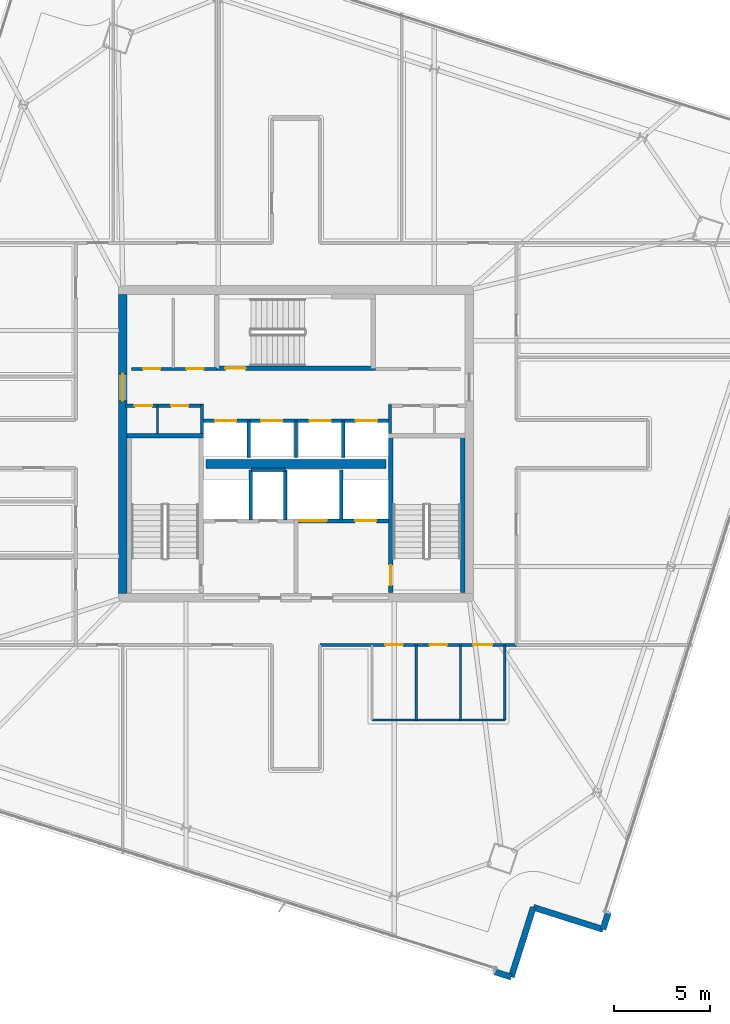
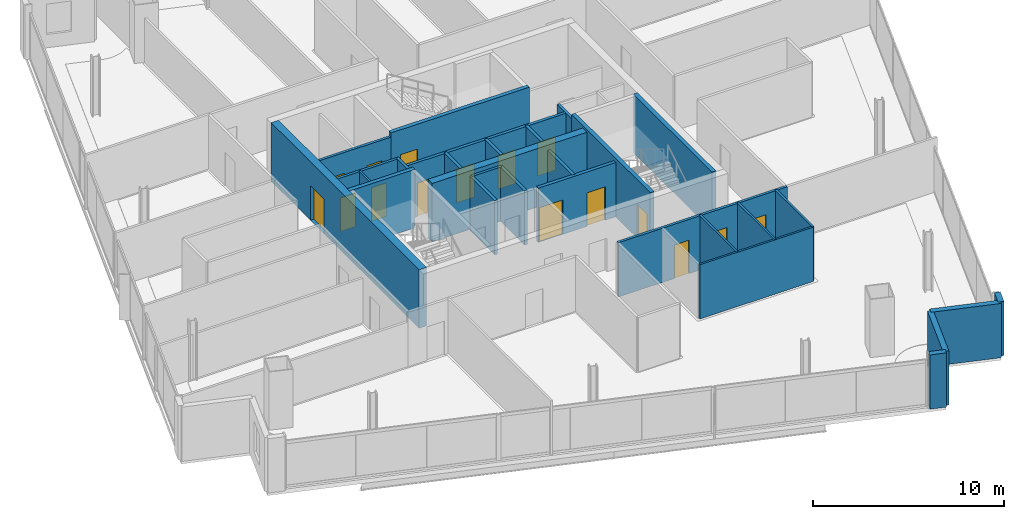
# One storey, part 19 of 26: 29 walls, 16 doors, 16 openings.
"""IFC4 building model written with IfcOpenShell, lengths in metres."""

from ifc_helpers import new_model, si_unit, direction, frame, frame_2d, origin, place, context, subcontext, project, spatial, rectangle, extrude, material, layer, layer_set, type_object, element, fill, save


model = new_model("IFC4")

# Units and contexts
model_context = context("Model", 3, precision=1e-05, world=origin(), true_north=direction((0.0, 1.0)))
body_context = subcontext(model_context, "Body", "Model", "MODEL_VIEW")
ifc_project = project(units=[si_unit("LENGTHUNIT", "METRE"), si_unit("AREAUNIT", "SQUARE_METRE"), si_unit("VOLUMEUNIT", "CUBIC_METRE"), si_unit("PLANEANGLEUNIT", "RADIAN"), si_unit("MASSUNIT", "GRAM", prefix="KILO")], contexts=[model_context])

# Site, building, storey
site_placement = place(None, origin())
site = spatial("IfcSite", under=ifc_project, at=site_placement, CompositionType="ELEMENT")
building_placement = place(site_placement, origin())
building = spatial("IfcBuilding", under=site, at=building_placement, Name="Haldenkirk Collegiate Tower", CompositionType="ELEMENT")
storey_placement = place(building_placement, frame((0.0, 0.0, 271.199951171875)))
storey = spatial("IfcBuildingStorey", under=building, at=storey_placement, Name="L68", CompositionType="ELEMENT", Elevation=271.199951171875)

# Wall, opening, door
ifc_material_1 = material(Name="Concrete f'c 55 MPa", Category="concrete")
ifc_layer_1 = layer(ifc_material_1, 0.449951171875)
ifc_layer_set_1 = layer_set([ifc_layer_1], Name="Concrete f'c 55 MPa")
wall_type_1 = type_object("IfcWallType", Name="WL-CORE-450", PredefinedType="SHEAR", material=ifc_layer_set_1)
wall_1_placement = place(storey_placement, frame((27.0, 18.22509765625, 0.0), z_axis=(0.0, 0.0, 1.0), x_axis=(0.0, 1.0, 0.0)))
wall_1 = element("IfcWall", 1, at=wall_1_placement, inside=storey, type_object=wall_type_1, Name="L68 central core shear wall W", PredefinedType="SHEAR", context=body_context, shape_type="SweptSolid", body=[
    extrude(rectangle(XDim=15.5498046875, YDim=0.449951171875, at=frame_2d((7.77490234375, 0.0))), origin(), (0.0, 0.0, 1.0), 3.75),
])
opening_1_placement = place(wall_1_placement, frame((10.014892578125, 0.0, 0.0)))
opening_1 = element("IfcOpeningElement", 2, at=opening_1_placement, cuts=wall_1, Name="Opening D-03", PredefinedType="OPENING", context=body_context, shape_type="SweptSolid", body=[
    extrude(rectangle(XDim=1.39990234375, YDim=2.199951171875, at=frame_2d((0.699951171875, 1.10009765625))), frame((0.0, 0.23486328125, 0.0), z_axis=(0.0, -1.0, 0.0), x_axis=(1.0, 0.0, 0.0)), (0.0, 0.0, 1.0), 0.469970703125),
])
ifc_material_2 = material(Name="Galvanized fire-rated hollow steel door", Category="steel")
ifc_layer_2 = layer(ifc_material_2, 0.06005859375)
ifc_layer_set_2 = layer_set([ifc_layer_2], Name="Galvanized fire-rated hollow steel door")
door_type_1 = type_object("IfcDoorType", Name="DR-LOBBY-FD90-1400", OperationType="NOTDEFINED", PredefinedType="DOOR", material=ifc_layer_set_2)
door_1_placement = place(opening_1_placement, origin())
door_1 = element("IfcDoor", 3, at=door_1_placement, inside=storey, type_object=door_type_1, Name="L68 west lift lobby portal", OperationType="DOUBLE_DOOR_SINGLE_SWING", OverallHeight=2.199951171875, OverallWidth=1.39990234375, PredefinedType="DOOR", context=body_context, shape_type="SweptSolid", body=[
    extrude(rectangle(XDim=1.39990234375, YDim=2.199951171875, at=frame_2d((0.699951171875, 1.10009765625))), frame((0.0, 0.02490234375, 0.0), z_axis=(0.0, -1.0, 0.0), x_axis=(1.0, 0.0, 0.0)), (0.0, 0.0, 1.0), 0.050048828125),
])
fill(opening_1, door_1)

# Walls
wall_2_placement = place(storey_placement, frame((31.31005859375, 24.949951171875, 0.0), z_axis=(0.0, 0.0, 1.0), x_axis=(1.0, 0.0, 0.0)))
element("IfcWall", 4, at=wall_2_placement, inside=storey, type_object=wall_type_1, Name="L68 central core spine shear wall", PredefinedType="SHEAR", context=body_context, shape_type="SweptSolid", body=[
    extrude(rectangle(XDim=9.3798828125, YDim=0.449951171875, at=frame_2d((4.68994140625, 0.0))), origin(), (0.0, 0.0, 1.0), 3.75),
])
ifc_material_3 = material(Name="Precast concrete f'c 40 MPa", Category="concrete")
ifc_layer_3 = layer(ifc_material_3, 0.320068359375)
ifc_layer_set_3 = layer_set([ifc_layer_3], Name="Precast concrete f'c 40 MPa")
wall_type_2 = type_object("IfcWallType", Name="WL-EXT-TWR-320", PredefinedType="STANDARD", material=ifc_layer_set_3)
for number, where, z_axis, x_axis, name in (
    (5, (52.2294921875, 1.62158203125, 0.0), (0.0, 0.0, 1.0), (-0.301624624899, -0.95342675946, 0.0), "L68 precast corner pier SR"),
    (6, (47.18896484375, -1.7138671875, 0.0), (0.0, 0.0, 1.0), (-0.95342675946, 0.301624624899, 0.0), "L68 precast corner pier WL"),
):
    element("IfcWall", number, at=place(storey_placement, frame(where, z_axis=z_axis, x_axis=x_axis)), inside=storey, type_object=wall_type_2, Name=name, PredefinedType="STANDARD", context=body_context, shape_type="SweptSolid", body=[
        extrude(rectangle(XDim=0.900146484375, YDim=0.320068359375, at=frame_2d((0.4501953125, 0.0))), origin(), (0.0, 0.0, 1.0), 3.47998046875),
    ])
wall_3_placement = place(storey_placement, frame((48.3349609375, 1.9091796875, 0.0), z_axis=(0.0, 0.0, 1.0), x_axis=(-0.301580261621, -0.953440793023, 0.0)))
element("IfcWall", 7, at=wall_3_placement, inside=storey, type_object=wall_type_2, Name="L68 bronze precast notch wall 11", PredefinedType="STANDARD", context=body_context, shape_type="SweptSolid", body=[
    extrude(rectangle(XDim=3.800048828125, YDim=0.320068359375, at=frame_2d((1.89990234375, 0.0))), origin(), (0.0, 0.0, 1.0), 3.47998046875),
])
wall_4_placement = place(storey_placement, frame((51.9580078125, 0.763427734375, 0.0), z_axis=(0.0, 0.0, 1.0), x_axis=(-0.953459265402, 0.301521855292, 0.0)))
element("IfcWall", 8, at=wall_4_placement, inside=storey, type_object=wall_type_2, Name="L68 bronze precast notch wall 12", PredefinedType="STANDARD", context=body_context, shape_type="SweptSolid", body=[
    extrude(rectangle(XDim=3.7998046875, YDim=0.320068359375, at=frame_2d((1.89990234375, 0.0))), origin(), (0.0, 0.0, 1.0), 3.47998046875),
])

# Wall, openings, doors
ifc_material_4 = material(Name="Acoustic fire-rated gypsum partition", Category="concrete")
ifc_layer_4 = layer(ifc_material_4, 0.159912109375)
ifc_layer_set_4 = layer_set([ifc_layer_4], Name="Acoustic fire-rated gypsum partition")
wall_type_3 = type_object("IfcWallType", Name="WL-INT-CORR-160", PredefinedType="PARTITIONING", material=ifc_layer_set_4)
wall_5_placement = place(storey_placement, frame((27.14990234375, 27.97998046875, 0.0), z_axis=(0.0, 0.0, 1.0), x_axis=(1.0, 0.0, 0.0)))
wall_5 = element("IfcWall", 9, at=wall_5_placement, inside=storey, type_object=wall_type_3, Name="L68 interior partition IW-L68-VCSW-N", PredefinedType="PARTITIONING", context=body_context, shape_type="SweptSolid", body=[
    extrude(rectangle(XDim=4.050048828125, YDim=0.159912109375, at=frame_2d((2.02490234375, 0.0))), origin(), (0.0, 0.0, 1.0), 3.47998046875),
])
opening_2_placement = place(wall_5_placement, frame((0.469970703125, 0.0, 0.0)))
opening_2 = element("IfcOpeningElement", 10, at=opening_2_placement, cuts=wall_5, Name="Opening D-11", PredefinedType="OPENING", context=body_context, shape_type="SweptSolid", body=[
    extrude(rectangle(XDim=0.89990234375, YDim=2.14990234375, at=frame_2d((0.449951171875, 1.074951171875))), frame((0.0, 0.08984375, 0.0), z_axis=(0.0, -1.0, 0.0), x_axis=(1.0, 0.0, 0.0)), (0.0, 0.0, 1.0), 0.179931640625),
])
opening_3_placement = place(wall_5_placement, frame((2.360107421875, 0.0, 0.0)))
opening_3 = element("IfcOpeningElement", 11, at=opening_3_placement, cuts=wall_5, Name="Opening D-11", PredefinedType="OPENING", context=body_context, shape_type="SweptSolid", body=[
    extrude(rectangle(XDim=0.89990234375, YDim=2.14990234375, at=frame_2d((0.449951171875, 1.074951171875))), frame((0.0, 0.08984375, 0.0), z_axis=(0.0, -1.0, 0.0), x_axis=(1.0, 0.0, 0.0)), (0.0, 0.0, 1.0), 0.179931640625),
])
ifc_material_5 = material(Name="Solid-core architectural oak fire door", Category="wood")
ifc_layer_5 = layer(ifc_material_5, 0.06005859375)
ifc_layer_set_5 = layer_set([ifc_layer_5], Name="Solid-core architectural oak fire door")
door_type_2 = type_object("IfcDoorType", Name="DR-INT-FD60-900", OperationType="NOTDEFINED", PredefinedType="DOOR", material=ifc_layer_set_5)
door_2_placement = place(opening_2_placement, origin())
door_2 = element("IfcDoor", 12, at=door_2_placement, inside=storey, type_object=door_type_2, Name="L68 core AV closet door", OperationType="SINGLE_SWING_LEFT", OverallHeight=2.14990234375, OverallWidth=0.89990234375, PredefinedType="DOOR", context=body_context, shape_type="SweptSolid", body=[
    extrude(rectangle(XDim=0.89990234375, YDim=2.14990234375, at=frame_2d((0.449951171875, 1.074951171875))), frame((0.0, 0.02490234375, 0.0), z_axis=(0.0, -1.0, 0.0), x_axis=(1.0, 0.0, 0.0)), (0.0, 0.0, 1.0), 0.050048828125),
])
fill(opening_2, door_2)
door_3_placement = place(opening_3_placement, origin())
door_3 = element("IfcDoor", 13, at=door_3_placement, inside=storey, type_object=door_type_2, Name="L68 core supply closet door", OperationType="SINGLE_SWING_RIGHT", OverallHeight=2.14990234375, OverallWidth=0.89990234375, PredefinedType="DOOR", context=body_context, shape_type="SweptSolid", body=[
    extrude(rectangle(XDim=0.89990234375, YDim=2.14990234375, at=frame_2d((0.449951171875, 1.074951171875))), frame((0.0, 0.02490234375, 0.0), z_axis=(0.0, -1.0, 0.0), x_axis=(1.0, 0.0, 0.0)), (0.0, 0.0, 1.0), 0.050048828125),
])
fill(opening_3, door_3)

# Walls
for number, where, z_axis, x_axis, name in (
    (14, (31.1201171875, 26.5400390625, 0.0), (0.0, 0.0, 1.0), (0.0, 1.0, 0.0), "L68 interior partition IW-L68-VCSW-E"),
    (15, (40.8798828125, 26.5400390625, 0.0), (0.0, 0.0, 1.0), (0.0, 1.0, 0.0), "L68 interior partition IW-L68-VCSE-W"),
):
    element("IfcWall", number, at=place(storey_placement, frame(where, z_axis=z_axis, x_axis=x_axis)), inside=storey, type_object=wall_type_3, Name=name, PredefinedType="PARTITIONING", context=body_context, shape_type="SweptSolid", body=[
        extrude(rectangle(XDim=1.510009765625, YDim=0.159912109375, at=frame_2d((0.7548828125, 0.0))), origin(), (0.0, 0.0, 1.0), 3.47998046875),
    ])

# Wall, openings, doors
wall_6_placement = place(storey_placement, frame((27.449951171875, 29.89990234375, 0.0), z_axis=(0.0, 0.0, 1.0), x_axis=(1.0, 0.0, 0.0)))
wall_6 = element("IfcWall", 16, at=wall_6_placement, inside=storey, type_object=wall_type_3, Name="L68 interior partition IW-L68-PLS", PredefinedType="PARTITIONING", context=body_context, shape_type="SweptSolid", body=[
    extrude(rectangle(XDim=4.429931640625, YDim=0.159912109375, at=frame_2d((2.21484375, 0.0))), origin(), (0.0, 0.0, 1.0), 3.47998046875),
])
opening_4_placement = place(wall_6_placement, frame((0.60009765625, 0.0, 0.0)))
opening_4 = element("IfcOpeningElement", 17, at=opening_4_placement, cuts=wall_6, Name="Opening D-11", PredefinedType="OPENING", context=body_context, shape_type="SweptSolid", body=[
    extrude(rectangle(XDim=0.89990234375, YDim=2.14990234375, at=frame_2d((0.449951171875, 1.074951171875))), frame((0.0, 0.08984375, 0.0), z_axis=(0.0, -1.0, 0.0), x_axis=(1.0, 0.0, 0.0)), (0.0, 0.0, 1.0), 0.179931640625),
])
opening_5_placement = place(wall_6_placement, frame((2.85009765625, 0.0, 0.0)))
opening_5 = element("IfcOpeningElement", 18, at=opening_5_placement, cuts=wall_6, Name="Opening D-11", PredefinedType="OPENING", context=body_context, shape_type="SweptSolid", body=[
    extrude(rectangle(XDim=0.89990234375, YDim=2.14990234375, at=frame_2d((0.449951171875, 1.074951171875))), frame((0.0, 0.08984375, 0.0), z_axis=(0.0, -1.0, 0.0), x_axis=(1.0, 0.0, 0.0)), (0.0, 0.0, 1.0), 0.179931640625),
])
door_4_placement = place(opening_4_placement, origin())
door_4 = element("IfcDoor", 19, at=door_4_placement, inside=storey, type_object=door_type_2, Name="L68 tea kitchen door", OperationType="SINGLE_SWING_LEFT", OverallHeight=2.14990234375, OverallWidth=0.89990234375, PredefinedType="DOOR", context=body_context, shape_type="SweptSolid", body=[
    extrude(rectangle(XDim=0.89990234375, YDim=2.14990234375, at=frame_2d((0.449951171875, 1.074951171875))), frame((0.0, 0.02490234375, 0.0), z_axis=(0.0, -1.0, 0.0), x_axis=(1.0, 0.0, 0.0)), (0.0, 0.0, 1.0), 0.050048828125),
])
fill(opening_4, door_4)
door_5_placement = place(opening_5_placement, origin())
door_5 = element("IfcDoor", 20, at=door_5_placement, inside=storey, type_object=door_type_2, Name="L68 IT room door", OperationType="SINGLE_SWING_RIGHT", OverallHeight=2.14990234375, OverallWidth=0.89990234375, PredefinedType="DOOR", context=body_context, shape_type="SweptSolid", body=[
    extrude(rectangle(XDim=0.89990234375, YDim=2.14990234375, at=frame_2d((0.449951171875, 1.074951171875))), frame((0.0, 0.02490234375, 0.0), z_axis=(0.0, -1.0, 0.0), x_axis=(1.0, 0.0, 0.0)), (0.0, 0.0, 1.0), 0.050048828125),
])
fill(opening_5, door_5)

wall_7_placement = place(storey_placement, frame((37.25, 15.550048828125, 0.0), z_axis=(0.0, 0.0, 1.0), x_axis=(1.0, 0.0, 0.0)))
wall_7 = element("IfcWall", 21, at=wall_7_placement, inside=storey, type_object=wall_type_3, Name="L68 interior partition IW-L68-CS2", PredefinedType="PARTITIONING", context=body_context, shape_type="SweptSolid", body=[
    extrude(rectangle(XDim=10.25, YDim=0.159912109375, at=frame_2d((5.125, 0.0))), origin(), (0.0, 0.0, 1.0), 3.47998046875),
])
opening_6_placement = place(wall_7_placement, frame((3.39990234375, 0.0, 0.0)))
opening_6 = element("IfcOpeningElement", 22, at=opening_6_placement, cuts=wall_7, Name="Opening D-13", PredefinedType="OPENING", context=body_context, shape_type="SweptSolid", body=[
    extrude(rectangle(XDim=0.89990234375, YDim=2.14990234375, at=frame_2d((0.449951171875, 1.074951171875))), frame((0.0, 0.08984375, 0.0), z_axis=(0.0, -1.0, 0.0), x_axis=(1.0, 0.0, 0.0)), (0.0, 0.0, 1.0), 0.179931640625),
])
opening_7_placement = place(wall_7_placement, frame((5.699951171875, 0.0, 0.0)))
opening_7 = element("IfcOpeningElement", 23, at=opening_7_placement, cuts=wall_7, Name="Opening D-13", PredefinedType="OPENING", context=body_context, shape_type="SweptSolid", body=[
    extrude(rectangle(XDim=0.89990234375, YDim=2.14990234375, at=frame_2d((0.449951171875, 1.074951171875))), frame((0.0, 0.08984375, 0.0), z_axis=(0.0, -1.0, 0.0), x_axis=(1.0, 0.0, 0.0)), (0.0, 0.0, 1.0), 0.179931640625),
])
opening_8_placement = place(wall_7_placement, frame((7.949951171875, 0.0, 0.0)))
opening_8 = element("IfcOpeningElement", 24, at=opening_8_placement, cuts=wall_7, Name="Opening D-14", PredefinedType="OPENING", context=body_context, shape_type="SweptSolid", body=[
    extrude(rectangle(XDim=1.0, YDim=2.14990234375, at=frame_2d((0.5, 1.074951171875))), frame((0.0, 0.08984375, 0.0), z_axis=(0.0, -1.0, 0.0), x_axis=(1.0, 0.0, 0.0)), (0.0, 0.0, 1.0), 0.179931640625),
])
ifc_layer_6 = layer(ifc_material_5, 0.06005859375)
ifc_layer_set_6 = layer_set([ifc_layer_6], Name="Solid-core architectural oak fire door")
door_type_3 = type_object("IfcDoorType", Name="DR-INT-ACC-1000", OperationType="NOTDEFINED", PredefinedType="DOOR", material=ifc_layer_set_6)
door_6_placement = place(opening_8_placement, origin())
door_6 = element("IfcDoor", 25, at=door_6_placement, inside=storey, type_object=door_type_3, Name="L68 Accessible WC door", OperationType="SINGLE_SWING_RIGHT", OverallHeight=2.14990234375, OverallWidth=1.0, PredefinedType="DOOR", context=body_context, shape_type="SweptSolid", body=[
    extrude(rectangle(XDim=1.0, YDim=2.14990234375, at=frame_2d((0.5, 1.074951171875))), frame((0.0, 0.02490234375, 0.0), z_axis=(0.0, -1.0, 0.0), x_axis=(1.0, 0.0, 0.0)), (0.0, 0.0, 1.0), 0.050048828125),
])
fill(opening_8, door_6)
ifc_layer_7 = layer(ifc_material_5, 0.06005859375)
ifc_layer_set_7 = layer_set([ifc_layer_7], Name="Solid-core architectural oak fire door")
door_type_4 = type_object("IfcDoorType", Name="DR-INT-STD-900", OperationType="NOTDEFINED", PredefinedType="DOOR", material=ifc_layer_set_7)
door_7_placement = place(opening_6_placement, origin())
door_7 = element("IfcDoor", 26, at=door_7_placement, inside=storey, type_object=door_type_4, Name="L68 Male WC door", OperationType="SINGLE_SWING_RIGHT", OverallHeight=2.14990234375, OverallWidth=0.89990234375, PredefinedType="DOOR", context=body_context, shape_type="SweptSolid", body=[
    extrude(rectangle(XDim=0.89990234375, YDim=2.14990234375, at=frame_2d((0.449951171875, 1.074951171875))), frame((0.0, 0.02490234375, 0.0), z_axis=(0.0, -1.0, 0.0), x_axis=(1.0, 0.0, 0.0)), (0.0, 0.0, 1.0), 0.050048828125),
])
fill(opening_6, door_7)
door_8_placement = place(opening_7_placement, origin())
door_8 = element("IfcDoor", 27, at=door_8_placement, inside=storey, type_object=door_type_4, Name="L68 Female WC door", OperationType="SINGLE_SWING_LEFT", OverallHeight=2.14990234375, OverallWidth=0.89990234375, PredefinedType="DOOR", context=body_context, shape_type="SweptSolid", body=[
    extrude(rectangle(XDim=0.89990234375, YDim=2.14990234375, at=frame_2d((0.449951171875, 1.074951171875))), frame((0.0, 0.02490234375, 0.0), z_axis=(0.0, -1.0, 0.0), x_axis=(1.0, 0.0, 0.0)), (0.0, 0.0, 1.0), 0.050048828125),
])
fill(opening_7, door_8)

# Walls
ifc_material_6 = material(Name="Fire-rated gypsum shaftboard assembly", Category="concrete")
ifc_layer_8 = layer(ifc_material_6, 0.179931640625)
ifc_layer_set_8 = layer_set([ifc_layer_8], Name="Fire-rated gypsum shaftboard assembly")
wall_type_4 = type_object("IfcWallType", Name="WL-INT-SHAFT-180", PredefinedType="PARTITIONING", material=ifc_layer_set_8)
for number, where, z_axis, x_axis, name in (
    (28, (33.64990234375, 22.050048828125, 0.0), (0.0, 0.0, 1.0), (0.0, 1.0, 0.0), "L68 interior partition IW-L68-FL1E"),
    (29, (35.449951171875, 22.050048828125, 0.0), (0.0, 0.0, 1.0), (0.0, 1.0, 0.0), "L68 interior partition IW-L68-GL1W"),
):
    element("IfcWall", number, at=place(storey_placement, frame(where, z_axis=z_axis, x_axis=x_axis)), inside=storey, type_object=wall_type_4, Name=name, PredefinedType="PARTITIONING", context=body_context, shape_type="SweptSolid", body=[
        extrude(rectangle(XDim=2.599853515625, YDim=0.179931640625, at=frame_2d((1.2998046875, 0.0))), origin(), (0.0, 0.0, 1.0), 3.47998046875),
    ])
wall_8_placement = place(storey_placement, frame((33.64990234375, 24.64990234375, 0.0), z_axis=(0.0, 0.0, 1.0), x_axis=(1.0, 0.0, 0.0)))
element("IfcWall", 30, at=wall_8_placement, inside=storey, type_object=wall_type_4, Name="L68 interior partition IW-L68-RSRN", PredefinedType="PARTITIONING", context=body_context, shape_type="SweptSolid", body=[
    extrude(rectangle(XDim=1.800048828125, YDim=0.179931640625, at=frame_2d((0.89990234375, 0.0))), origin(), (0.0, 0.0, 1.0), 3.47998046875),
])
wall_9_placement = place(storey_placement, frame((38.35009765625, 22.050048828125, 0.0), z_axis=(0.0, 0.0, 1.0), x_axis=(0.0, 1.0, 0.0)))
element("IfcWall", 31, at=wall_9_placement, inside=storey, type_object=wall_type_4, Name="L68 interior partition IW-L68-GL1E", PredefinedType="PARTITIONING", context=body_context, shape_type="SweptSolid", body=[
    extrude(rectangle(XDim=2.599853515625, YDim=0.179931640625, at=frame_2d((1.2998046875, 0.0))), origin(), (0.0, 0.0, 1.0), 3.47998046875),
])

# Wall, openings, doors
wall_10_placement = place(storey_placement, frame((31.199951171875, 27.199951171875, 0.0), z_axis=(0.0, 0.0, 1.0), x_axis=(1.0, 0.0, 0.0)))
wall_10 = element("IfcWall", 32, at=wall_10_placement, inside=storey, type_object=wall_type_4, Name="L68 interior partition IW-L68-PHN", PredefinedType="PARTITIONING", context=body_context, shape_type="SweptSolid", body=[
    extrude(rectangle(XDim=9.60009765625, YDim=0.179931640625, at=frame_2d((4.800048828125, 0.0))), origin(), (0.0, 0.0, 1.0), 3.47998046875),
])
opening_9_placement = place(wall_10_placement, frame((0.590087890625, 0.0, 0.0)))
opening_9 = element("IfcOpeningElement", 33, at=opening_9_placement, cuts=wall_10, Name="Opening LD-11", PredefinedType="OPENING", context=body_context, shape_type="SweptSolid", body=[
    extrude(rectangle(XDim=1.10009765625, YDim=2.14990234375, at=frame_2d((0.550048828125, 1.074951171875))), frame((0.0, 0.099853515625, 0.0), z_axis=(0.0, -1.0, 0.0), x_axis=(1.0, 0.0, 0.0)), (0.0, 0.0, 1.0), 0.199951171875),
])
opening_10_placement = place(wall_10_placement, frame((2.989990234375, 0.0, 0.0)))
opening_10 = element("IfcOpeningElement", 34, at=opening_10_placement, cuts=wall_10, Name="Opening LD-11", PredefinedType="OPENING", context=body_context, shape_type="SweptSolid", body=[
    extrude(rectangle(XDim=1.10009765625, YDim=2.14990234375, at=frame_2d((0.550048828125, 1.074951171875))), frame((0.0, 0.099853515625, 0.0), z_axis=(0.0, -1.0, 0.0), x_axis=(1.0, 0.0, 0.0)), (0.0, 0.0, 1.0), 0.199951171875),
])
opening_11_placement = place(wall_10_placement, frame((5.510009765625, 0.0, 0.0)))
opening_11 = element("IfcOpeningElement", 35, at=opening_11_placement, cuts=wall_10, Name="Opening LD-11", PredefinedType="OPENING", context=body_context, shape_type="SweptSolid", body=[
    extrude(rectangle(XDim=1.10009765625, YDim=2.14990234375, at=frame_2d((0.550048828125, 1.074951171875))), frame((0.0, 0.099853515625, 0.0), z_axis=(0.0, -1.0, 0.0), x_axis=(1.0, 0.0, 0.0)), (0.0, 0.0, 1.0), 0.199951171875),
])
opening_12_placement = place(wall_10_placement, frame((7.909912109375, 0.0, 0.0)))
opening_12 = element("IfcOpeningElement", 36, at=opening_12_placement, cuts=wall_10, Name="Opening LD-11", PredefinedType="OPENING", context=body_context, shape_type="SweptSolid", body=[
    extrude(rectangle(XDim=1.10009765625, YDim=2.14990234375, at=frame_2d((0.550048828125, 1.074951171875))), frame((0.0, 0.099853515625, 0.0), z_axis=(0.0, -1.0, 0.0), x_axis=(1.0, 0.0, 0.0)), (0.0, 0.0, 1.0), 0.199951171875),
])
ifc_material_7 = material(Name="Brushed architectural stainless steel", Category="steel")
ifc_layer_9 = layer(ifc_material_7, 0.06005859375)
ifc_layer_set_9 = layer_set([ifc_layer_9], Name="Brushed architectural stainless steel")
door_type_5 = type_object("IfcDoorType", Name="LD-PASS-1100", OperationType="NOTDEFINED", PredefinedType="DOOR", material=ifc_layer_set_9)
door_9_placement = place(opening_9_placement, origin())
door_9 = element("IfcDoor", 37, at=door_9_placement, inside=storey, type_object=door_type_5, Name="L68 Elevator PH1 sliding landing door", OperationType="SLIDING_TO_LEFT", OverallHeight=2.14990234375, OverallWidth=1.10009765625, PredefinedType="DOOR", context=body_context, shape_type="SweptSolid", body=[
    extrude(rectangle(XDim=1.10009765625, YDim=2.14990234375, at=frame_2d((0.550048828125, 1.074951171875))), frame((0.0, 0.02490234375, 0.0), z_axis=(0.0, -1.0, 0.0), x_axis=(1.0, 0.0, 0.0)), (0.0, 0.0, 1.0), 0.050048828125),
])
fill(opening_9, door_9)
door_10_placement = place(opening_10_placement, origin())
door_10 = element("IfcDoor", 38, at=door_10_placement, inside=storey, type_object=door_type_5, Name="L68 Elevator PH2 sliding landing door", OperationType="SLIDING_TO_LEFT", OverallHeight=2.14990234375, OverallWidth=1.10009765625, PredefinedType="DOOR", context=body_context, shape_type="SweptSolid", body=[
    extrude(rectangle(XDim=1.10009765625, YDim=2.14990234375, at=frame_2d((0.550048828125, 1.074951171875))), frame((0.0, 0.02490234375, 0.0), z_axis=(0.0, -1.0, 0.0), x_axis=(1.0, 0.0, 0.0)), (0.0, 0.0, 1.0), 0.050048828125),
])
fill(opening_10, door_10)
door_11_placement = place(opening_11_placement, origin())
door_11 = element("IfcDoor", 39, at=door_11_placement, inside=storey, type_object=door_type_5, Name="L68 Elevator PH3 sliding landing door", OperationType="SLIDING_TO_LEFT", OverallHeight=2.14990234375, OverallWidth=1.10009765625, PredefinedType="DOOR", context=body_context, shape_type="SweptSolid", body=[
    extrude(rectangle(XDim=1.10009765625, YDim=2.14990234375, at=frame_2d((0.550048828125, 1.074951171875))), frame((0.0, 0.02490234375, 0.0), z_axis=(0.0, -1.0, 0.0), x_axis=(1.0, 0.0, 0.0)), (0.0, 0.0, 1.0), 0.050048828125),
])
fill(opening_11, door_11)
door_12_placement = place(opening_12_placement, origin())
door_12 = element("IfcDoor", 40, at=door_12_placement, inside=storey, type_object=door_type_5, Name="L68 Elevator PH4 sliding landing door", OperationType="SLIDING_TO_LEFT", OverallHeight=2.14990234375, OverallWidth=1.10009765625, PredefinedType="DOOR", context=body_context, shape_type="SweptSolid", body=[
    extrude(rectangle(XDim=1.10009765625, YDim=2.14990234375, at=frame_2d((0.550048828125, 1.074951171875))), frame((0.0, 0.02490234375, 0.0), z_axis=(0.0, -1.0, 0.0), x_axis=(1.0, 0.0, 0.0)), (0.0, 0.0, 1.0), 0.050048828125),
])
fill(opening_12, door_12)

# Walls
for number, where, z_axis, x_axis, name in (
    (41, (33.5400390625, 25.300048828125, 0.0), (0.0, 0.0, 1.0), (0.0, 1.0, 0.0), "L68 interior partition IW-L68-PHV1"),
    (42, (36.0, 25.300048828125, 0.0), (0.0, 0.0, 1.0), (0.0, 1.0, 0.0), "L68 interior partition IW-L68-PHV2"),
    (43, (38.4599609375, 25.300048828125, 0.0), (0.0, 0.0, 1.0), (0.0, 1.0, 0.0), "L68 interior partition IW-L68-PHV3"),
):
    element("IfcWall", number, at=place(storey_placement, frame(where, z_axis=z_axis, x_axis=x_axis)), inside=storey, type_object=wall_type_4, Name=name, PredefinedType="PARTITIONING", context=body_context, shape_type="SweptSolid", body=[
        extrude(rectangle(XDim=1.89990234375, YDim=0.179931640625, at=frame_2d((0.949951171875, 0.0))), origin(), (0.0, 0.0, 1.0), 3.47998046875),
    ])

# Wall, openings, doors
ifc_layer_10 = layer(ifc_material_6, 0.199951171875)
ifc_layer_set_10 = layer_set([ifc_layer_10], Name="Fire-rated gypsum shaftboard assembly")
wall_type_5 = type_object("IfcWallType", Name="WL-INT-SHAFT-200", PredefinedType="PARTITIONING", material=ifc_layer_set_10)
wall_11_placement = place(storey_placement, frame((36.1201171875, 22.0, 0.0), z_axis=(0.0, 0.0, 1.0), x_axis=(1.0, 0.0, 0.0)))
wall_11 = element("IfcWall", 44, at=wall_11_placement, inside=storey, type_object=wall_type_5, Name="L68 interior partition IW-L68-FFL2N", PredefinedType="PARTITIONING", context=body_context, shape_type="SweptSolid", body=[
    extrude(rectangle(XDim=4.68994140625, YDim=0.199951171875, at=frame_2d((2.344970703125, 0.0))), origin(), (0.0, 0.0, 1.0), 3.47998046875),
])
opening_13_placement = place(wall_11_placement, frame((2.955078125, 0.0, 0.0)))
opening_13 = element("IfcOpeningElement", 45, at=opening_13_placement, cuts=wall_11, Name="Opening LD-12", PredefinedType="OPENING", context=body_context, shape_type="SweptSolid", body=[
    extrude(rectangle(XDim=1.10009765625, YDim=2.14990234375, at=frame_2d((0.550048828125, 1.074951171875))), frame((0.0, 0.10986328125, 0.0), z_axis=(0.0, -1.0, 0.0), x_axis=(1.0, 0.0, 0.0)), (0.0, 0.0, 1.0), 0.219970703125),
])
opening_14_placement = place(wall_11_placement, frame((0.080078125, 0.0, 0.0)))
opening_14 = element("IfcOpeningElement", 46, at=opening_14_placement, cuts=wall_11, Name="Opening LD-13", PredefinedType="OPENING", context=body_context, shape_type="SweptSolid", body=[
    extrude(rectangle(XDim=1.39990234375, YDim=2.199951171875, at=frame_2d((0.699951171875, 1.10009765625))), frame((0.0, 0.10986328125, 0.0), z_axis=(0.0, -1.0, 0.0), x_axis=(1.0, 0.0, 0.0)), (0.0, 0.0, 1.0), 0.219970703125),
])
ifc_layer_11 = layer(ifc_material_7, 0.06005859375)
ifc_layer_set_11 = layer_set([ifc_layer_11], Name="Brushed architectural stainless steel")
door_type_6 = type_object("IfcDoorType", Name="LD-FIRE-1100", OperationType="NOTDEFINED", PredefinedType="DOOR", material=ifc_layer_set_11)
door_13_placement = place(opening_13_placement, origin())
door_13 = element("IfcDoor", 47, at=door_13_placement, inside=storey, type_object=door_type_6, Name="L68 Elevator FL2 sliding landing door", OperationType="SLIDING_TO_LEFT", OverallHeight=2.14990234375, OverallWidth=1.10009765625, PredefinedType="DOOR", context=body_context, shape_type="SweptSolid", body=[
    extrude(rectangle(XDim=1.10009765625, YDim=2.14990234375, at=frame_2d((0.550048828125, 1.074951171875))), frame((0.0, 0.02490234375, 0.0), z_axis=(0.0, -1.0, 0.0), x_axis=(1.0, 0.0, 0.0)), (0.0, 0.0, 1.0), 0.050048828125),
])
fill(opening_13, door_13)
ifc_layer_12 = layer(ifc_material_7, 0.06005859375)
ifc_layer_set_12 = layer_set([ifc_layer_12], Name="Brushed architectural stainless steel")
door_type_7 = type_object("IfcDoorType", Name="LD-GOODS-1400", OperationType="NOTDEFINED", PredefinedType="DOOR", material=ifc_layer_set_12)
door_14_placement = place(opening_14_placement, origin())
door_14 = element("IfcDoor", 48, at=door_14_placement, inside=storey, type_object=door_type_7, Name="L68 Elevator GL1 sliding landing door", OperationType="SLIDING_TO_LEFT", OverallHeight=2.199951171875, OverallWidth=1.39990234375, PredefinedType="DOOR", context=body_context, shape_type="SweptSolid", body=[
    extrude(rectangle(XDim=1.39990234375, YDim=2.199951171875, at=frame_2d((0.699951171875, 1.10009765625))), frame((0.0, 0.02490234375, 0.0), z_axis=(0.0, -1.0, 0.0), x_axis=(1.0, 0.0, 0.0)), (0.0, 0.0, 1.0), 0.050048828125),
])
fill(opening_14, door_14)

# Walls
ifc_layer_13 = layer(ifc_material_4, 0.1201171875)
ifc_layer_set_13 = layer_set([ifc_layer_13], Name="Acoustic fire-rated gypsum partition")
wall_type_6 = type_object("IfcWallType", Name="WL-INT-WET-120", PredefinedType="PARTITIONING", material=ifc_layer_set_13)
wall_12_placement = place(storey_placement, frame((28.800048828125, 26.5400390625, 0.0), z_axis=(0.0, 0.0, 1.0), x_axis=(0.0, 1.0, 0.0)))
element("IfcWall", 49, at=wall_12_placement, inside=storey, type_object=wall_type_6, Name="L68 interior partition IW-L68-VCSW-M", PredefinedType="PARTITIONING", context=body_context, shape_type="SweptSolid", body=[
    extrude(rectangle(XDim=1.43994140625, YDim=0.1201171875, at=frame_2d((0.719970703125, 0.0))), origin(), (0.0, 0.0, 1.0), 3.47998046875),
])
for number, where, z_axis, x_axis, name in (
    (50, (42.25, 11.64990234375, 0.0), (0.0, 0.0, 1.0), (0.0, 1.0, 0.0), "L68 interior partition IW-L68-WC1"),
    (51, (44.550048828125, 11.64990234375, 0.0), (0.0, 0.0, 1.0), (0.0, 1.0, 0.0), "L68 interior partition IW-L68-WC2"),
    (52, (46.85009765625, 11.64990234375, 0.0), (0.0, 0.0, 1.0), (0.0, 1.0, 0.0), "L68 interior partition IW-L68-WCE"),
):
    element("IfcWall", number, at=place(storey_placement, frame(where, z_axis=z_axis, x_axis=x_axis)), inside=storey, type_object=wall_type_6, Name=name, PredefinedType="PARTITIONING", context=body_context, shape_type="SweptSolid", body=[
        extrude(rectangle(XDim=3.900146484375, YDim=0.1201171875, at=frame_2d((1.9501953125, 0.0))), origin(), (0.0, 0.0, 1.0), 3.47998046875),
    ])
wall_13_placement = place(storey_placement, frame((39.949951171875, 11.64990234375, 0.0), z_axis=(0.0, 0.0, 1.0), x_axis=(1.0, 0.0, 0.0)))
element("IfcWall", 53, at=wall_13_placement, inside=storey, type_object=wall_type_6, Name="L68 interior partition IW-L68-WCB", PredefinedType="PARTITIONING", context=body_context, shape_type="SweptSolid", body=[
    extrude(rectangle(XDim=6.900146484375, YDim=0.1201171875, at=frame_2d((3.4501953125, 0.0))), origin(), (0.0, 0.0, 1.0), 3.47998046875),
])
ifc_layer_14 = layer(ifc_material_1, 0.239990234375)
ifc_layer_set_14 = layer_set([ifc_layer_14], Name="Concrete f'c 55 MPa")
wall_type_7 = type_object("IfcWallType", Name="WL-SHAFT-240", PredefinedType="SHEAR", material=ifc_layer_set_14)
wall_14_placement = place(storey_placement, frame((27.2099609375, 26.419921875, 0.0), z_axis=(0.0, 0.0, 1.0), x_axis=(1.0, 0.0, 0.0)))
element("IfcWall", 54, at=wall_14_placement, inside=storey, type_object=wall_type_7, Name="L68 stair shaft shear wall SW-L68-ST1N", PredefinedType="SHEAR", context=body_context, shape_type="SweptSolid", body=[
    extrude(rectangle(XDim=3.97998046875, YDim=0.239990234375, at=frame_2d((1.989990234375, 0.0))), origin(), (0.0, 0.0, 1.0), 3.75),
])

# Wall, opening, door
wall_15_placement = place(storey_placement, frame((40.929931640625, 18.280029296875, 0.0), z_axis=(0.0, 0.0, 1.0), x_axis=(0.0, 1.0, 0.0)))
wall_15 = element("IfcWall", 55, at=wall_15_placement, inside=storey, type_object=wall_type_7, Name="L68 stair shaft shear wall SW-L68-ST2W", PredefinedType="SHEAR", context=body_context, shape_type="SweptSolid", body=[
    extrude(rectangle(XDim=8.260009765625, YDim=0.239990234375, at=frame_2d((4.1298828125, 0.0))), origin(), (0.0, 0.0, 1.0), 3.75),
])
opening_15_placement = place(wall_15_placement, frame((0.364990234375, 0.0, 0.0)))
opening_15 = element("IfcOpeningElement", 56, at=opening_15_placement, cuts=wall_15, Name="Opening D-01", PredefinedType="OPENING", context=body_context, shape_type="SweptSolid", body=[
    extrude(rectangle(XDim=1.050048828125, YDim=2.14990234375, at=frame_2d((0.52490234375, 1.074951171875))), frame((0.0, 0.1298828125, 0.0), z_axis=(0.0, -1.0, 0.0), x_axis=(1.0, 0.0, 0.0)), (0.0, 0.0, 1.0), 0.260009765625),
])
ifc_layer_15 = layer(ifc_material_2, 0.06005859375)
ifc_layer_set_15 = layer_set([ifc_layer_15], Name="Galvanized fire-rated hollow steel door")
door_type_8 = type_object("IfcDoorType", Name="DR-STAIR-FD90-1050", OperationType="NOTDEFINED", PredefinedType="DOOR", material=ifc_layer_set_15)
door_15_placement = place(opening_15_placement, origin())
door_15 = element("IfcDoor", 57, at=door_15_placement, inside=storey, type_object=door_type_8, Name="L68 Stair 2 door", OperationType="SINGLE_SWING_RIGHT", OverallHeight=2.14990234375, OverallWidth=1.050048828125, PredefinedType="DOOR", context=body_context, shape_type="SweptSolid", body=[
    extrude(rectangle(XDim=1.050048828125, YDim=2.14990234375, at=frame_2d((0.52490234375, 1.074951171875))), frame((0.0, 0.02490234375, 0.0), z_axis=(0.0, -1.0, 0.0), x_axis=(1.0, 0.0, 0.0)), (0.0, 0.0, 1.0), 0.050048828125),
])
fill(opening_15, door_15)

# Wall
wall_16_placement = place(storey_placement, frame((44.669921875, 18.280029296875, 0.0), z_axis=(0.0, 0.0, 1.0), x_axis=(0.0, 1.0, 0.0)))
element("IfcWall", 58, at=wall_16_placement, inside=storey, type_object=wall_type_7, Name="L68 stair shaft shear wall SW-L68-ST2E", PredefinedType="SHEAR", context=body_context, shape_type="SweptSolid", body=[
    extrude(rectangle(XDim=8.260009765625, YDim=0.239990234375, at=frame_2d((4.1298828125, 0.0))), origin(), (0.0, 0.0, 1.0), 3.75),
])

# Wall, opening, door
wall_17_placement = place(storey_placement, frame((31.760009765625, 29.929931640625, 0.0), z_axis=(0.0, 0.0, 1.0), x_axis=(1.0, 0.0, 0.0)))
wall_17 = element("IfcWall", 59, at=wall_17_placement, inside=storey, type_object=wall_type_7, Name="L68 stair shaft shear wall SW-L68-ST3S", PredefinedType="SHEAR", context=body_context, shape_type="SweptSolid", body=[
    extrude(rectangle(XDim=8.3798828125, YDim=0.239990234375, at=frame_2d((4.18994140625, 0.0))), origin(), (0.0, 0.0, 1.0), 3.75),
])
opening_16_placement = place(wall_17_placement, frame((0.56494140625, 0.0, 0.0)))
opening_16 = element("IfcOpeningElement", 60, at=opening_16_placement, cuts=wall_17, Name="Opening D-01", PredefinedType="OPENING", context=body_context, shape_type="SweptSolid", body=[
    extrude(rectangle(XDim=1.050048828125, YDim=2.14990234375, at=frame_2d((0.52490234375, 1.074951171875))), frame((0.0, 0.1298828125, 0.0), z_axis=(0.0, -1.0, 0.0), x_axis=(1.0, 0.0, 0.0)), (0.0, 0.0, 1.0), 0.260009765625),
])
door_16_placement = place(opening_16_placement, origin())
door_16 = element("IfcDoor", 61, at=door_16_placement, inside=storey, type_object=door_type_8, Name="L68 lift lobby Stair 3 door", OperationType="SINGLE_SWING_RIGHT", OverallHeight=2.14990234375, OverallWidth=1.050048828125, PredefinedType="DOOR", context=body_context, shape_type="SweptSolid", body=[
    extrude(rectangle(XDim=1.050048828125, YDim=2.14990234375, at=frame_2d((0.52490234375, 1.074951171875))), frame((0.0, 0.02490234375, 0.0), z_axis=(0.0, -1.0, 0.0), x_axis=(1.0, 0.0, 0.0)), (0.0, 0.0, 1.0), 0.050048828125),
])
fill(opening_16, door_16)

save(model, "model.ifc")
